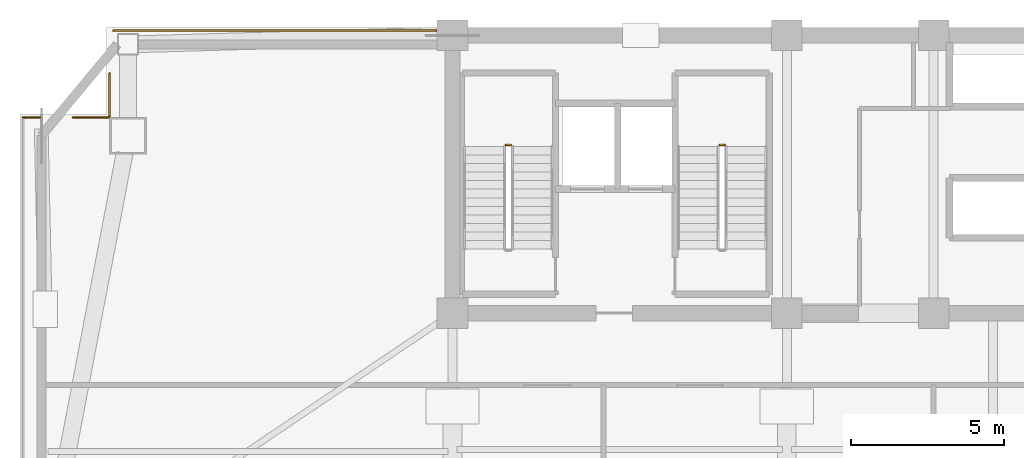
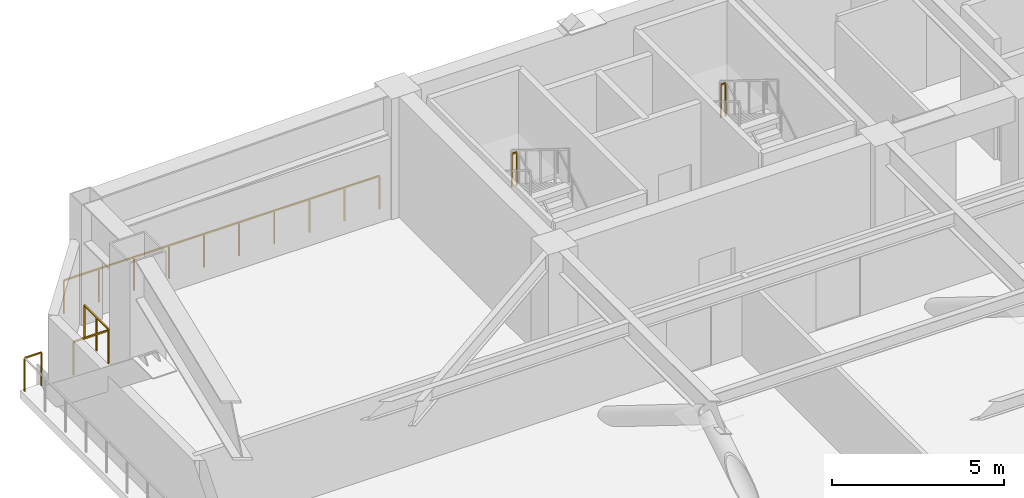
# One storey, part 10 of 11: 6 railings.
"""IFC4 building model written with IfcOpenShell, lengths in metres."""

from ifc_helpers import new_model, si_unit, direction, frame, origin, origin_2d, place, context, subcontext, project, spatial, rectangle, extrude, material, type_object, element, save


model = new_model("IFC4")

# Units and contexts
model_context = context("Model", 3, precision=1e-05, world=origin(), true_north=direction((0.0, 1.0)))
body_context = subcontext(model_context, "Body", "Model", "MODEL_VIEW")
ifc_project = project(units=[si_unit("LENGTHUNIT", "METRE"), si_unit("AREAUNIT", "SQUARE_METRE"), si_unit("VOLUMEUNIT", "CUBIC_METRE"), si_unit("PLANEANGLEUNIT", "RADIAN"), si_unit("MASSUNIT", "GRAM", prefix="KILO")], contexts=[model_context])

# Site, building, storey
site_placement = place(None, origin())
site = spatial("IfcSite", under=ifc_project, at=site_placement, CompositionType="ELEMENT")
building_placement = place(site_placement, origin())
building = spatial("IfcBuilding", under=site, at=building_placement, Name="Giltprow Tower", CompositionType="ELEMENT")
storey_placement = place(building_placement, frame((0.0, 0.0, 191.199951171875)))
storey = spatial("IfcBuildingStorey", under=building, at=storey_placement, Name="L48", CompositionType="ELEMENT", Elevation=191.199951171875)

# Railings
ifc_material = material(Name="Anodized bronze", Category="metal")
railing_type_1 = type_object("IfcRailingType", Name="RAIL-BALC-GUARD-1200", PredefinedType="BALUSTRADE", material=ifc_material)
railing_1_placement = place(storey_placement, frame((5.7890625, 43.864990234375, 0.0)))
element("IfcRailing", 1, at=railing_1_placement, inside=storey, type_object=railing_type_1, Name="L48 Corner Apron Edge Balustrade 4", PredefinedType="BALUSTRADE", context=body_context, shape_type="SweptSolid", body=[
    extrude(rectangle(XDim=0.048095703125, YDim=0.048095703125, at=origin_2d()), frame((0.0, 0.0, 1.17578125), z_axis=(1.0, 0.0, 0.0), x_axis=(0.0, 1.0, 0.0)), (0.0, 0.0, 1.0), 0.56591796875),
    extrude(rectangle(XDim=0.0419921875, YDim=0.0419921875, at=origin_2d()), origin(), (0.0, 0.0, 1.0), 1.15185546875),
    extrude(rectangle(XDim=0.0419921875, YDim=0.0419921875, at=origin_2d()), frame((0.56591796875, 0.0, 0.0)), (0.0, 0.0, 1.0), 1.15185546875),
])
railing_2_placement = place(storey_placement, frame((7.422119140625, 43.864990234375, 0.0)))
element("IfcRailing", 2, at=railing_2_placement, inside=storey, type_object=railing_type_1, Name="L48 Corner Apron Edge Balustrade 5", PredefinedType="BALUSTRADE", context=body_context, shape_type="SweptSolid", body=[
    extrude(rectangle(XDim=0.048095703125, YDim=0.048095703125, at=origin_2d()), frame((0.0, 0.0, 1.17578125), z_axis=(1.0, 0.0, 0.0), x_axis=(0.0, 1.0, 0.0)), (0.0, 0.0, 1.0), 1.1669921875),
    extrude(rectangle(XDim=0.0419921875, YDim=0.0419921875, at=origin_2d()), origin(), (0.0, 0.0, 1.0), 1.15185546875),
    extrude(rectangle(XDim=0.0419921875, YDim=0.0419921875, at=origin_2d()), frame((1.1669921875, 0.0, 0.0)), (0.0, 0.0, 1.0), 1.15185546875),
])
railing_3_placement = place(storey_placement, frame((8.6240234375, 43.89990234375, 0.0)))
element("IfcRailing", 3, at=railing_3_placement, inside=storey, type_object=railing_type_1, Name="L48 Corner Apron Edge Balustrade 6", PredefinedType="BALUSTRADE", context=body_context, shape_type="SweptSolid", body=[
    extrude(rectangle(XDim=0.048095703125, YDim=0.048095703125, at=origin_2d()), frame((0.0, 0.0, 1.17578125), z_axis=(0.0, 1.0, 0.0), x_axis=(-1.0, 0.0, 0.0)), (0.0, 0.0, 1.0), 1.4091796875),
    extrude(rectangle(XDim=0.0419921875, YDim=0.0419921875, at=origin_2d()), origin(), (0.0, 0.0, 1.0), 1.15185546875),
    extrude(rectangle(XDim=0.0419921875, YDim=0.0419921875, at=origin_2d()), frame((0.0, 0.70458984375, 0.0)), (0.0, 0.0, 1.0), 1.15185546875),
    extrude(rectangle(XDim=0.0419921875, YDim=0.0419921875, at=origin_2d()), frame((0.0, 1.4091796875, 0.0)), (0.0, 0.0, 1.0), 1.15185546875),
])
railing_4_placement = place(storey_placement, frame((8.739990234375, 46.699951171875, 0.0)))
element("IfcRailing", 4, at=railing_4_placement, inside=storey, type_object=railing_type_1, Name="L48 Corner Apron Edge Balustrade 7", PredefinedType="BALUSTRADE", context=body_context, shape_type="SweptSolid", body=[
    extrude(rectangle(XDim=0.048095703125, YDim=0.048095703125, at=origin_2d()), frame((0.0, 0.0, 1.17578125), z_axis=(1.0, 0.0, 0.0), x_axis=(0.0, 1.0, 0.0)), (0.0, 0.0, 1.0), 10.574951171875),
    extrude(rectangle(XDim=0.0419921875, YDim=0.0419921875, at=origin_2d()), origin(), (0.0, 0.0, 1.0), 1.15185546875),
    extrude(rectangle(XDim=0.0419921875, YDim=0.0419921875, at=origin_2d()), frame((1.175048828125, 0.0, 0.0)), (0.0, 0.0, 1.0), 1.15185546875),
    extrude(rectangle(XDim=0.0419921875, YDim=0.0419921875, at=origin_2d()), frame((2.35009765625, 0.0, 0.0)), (0.0, 0.0, 1.0), 1.15185546875),
    extrude(rectangle(XDim=0.0419921875, YDim=0.0419921875, at=origin_2d()), frame((3.52490234375, 0.0, 0.0)), (0.0, 0.0, 1.0), 1.15185546875),
    extrude(rectangle(XDim=0.0419921875, YDim=0.0419921875, at=origin_2d()), frame((4.699951171875, 0.0, 0.0)), (0.0, 0.0, 1.0), 1.15185546875),
    extrude(rectangle(XDim=0.0419921875, YDim=0.0419921875, at=origin_2d()), frame((5.875, 0.0, 0.0)), (0.0, 0.0, 1.0), 1.15185546875),
    extrude(rectangle(XDim=0.0419921875, YDim=0.0419921875, at=origin_2d()), frame((7.050048828125, 0.0, 0.0)), (0.0, 0.0, 1.0), 1.15185546875),
    extrude(rectangle(XDim=0.0419921875, YDim=0.0419921875, at=origin_2d()), frame((8.224853515625, 0.0, 0.0)), (0.0, 0.0, 1.0), 1.15185546875),
    extrude(rectangle(XDim=0.0419921875, YDim=0.0419921875, at=origin_2d()), frame((9.39990234375, 0.0, 0.0)), (0.0, 0.0, 1.0), 1.15185546875),
    extrude(rectangle(XDim=0.0419921875, YDim=0.0419921875, at=origin_2d()), frame((10.574951171875, 0.0, 0.0)), (0.0, 0.0, 1.0), 1.15185546875),
])
railing_type_2 = type_object("IfcRailingType", Name="RAIL-STAIR-GUARD-1200", PredefinedType="GUARDRAIL", material=ifc_material)
for number, where, name in (
    (5, (21.760009765625, 42.9599609375, 2.25), "L48 ST-1 stair guard 2"),
    (6, (28.760009765625, 42.9599609375, 2.25), "L48 ST-2 stair guard 2"),
):
    element("IfcRailing", number, at=place(storey_placement, frame(where)), inside=storey, type_object=railing_type_2, Name=name, PredefinedType="GUARDRAIL", context=body_context, shape_type="SweptSolid", body=[
        extrude(rectangle(XDim=0.048095703125, YDim=0.048095703125, at=origin_2d()), frame((0.0, 0.0, 1.17578125), z_axis=(-1.0, 0.0, 0.0), x_axis=(0.0, -1.0, 0.0)), (0.0, 0.0, 1.0), 0.159912109375),
        extrude(rectangle(XDim=0.0419921875, YDim=0.0419921875, at=origin_2d()), origin(), (0.0, 0.0, 1.0), 1.15185546875),
        extrude(rectangle(XDim=0.0419921875, YDim=0.0419921875, at=origin_2d()), frame((-0.159912109375, 0.0, 0.0)), (0.0, 0.0, 1.0), 1.15185546875),
    ])

save(model, "model.ifc")
